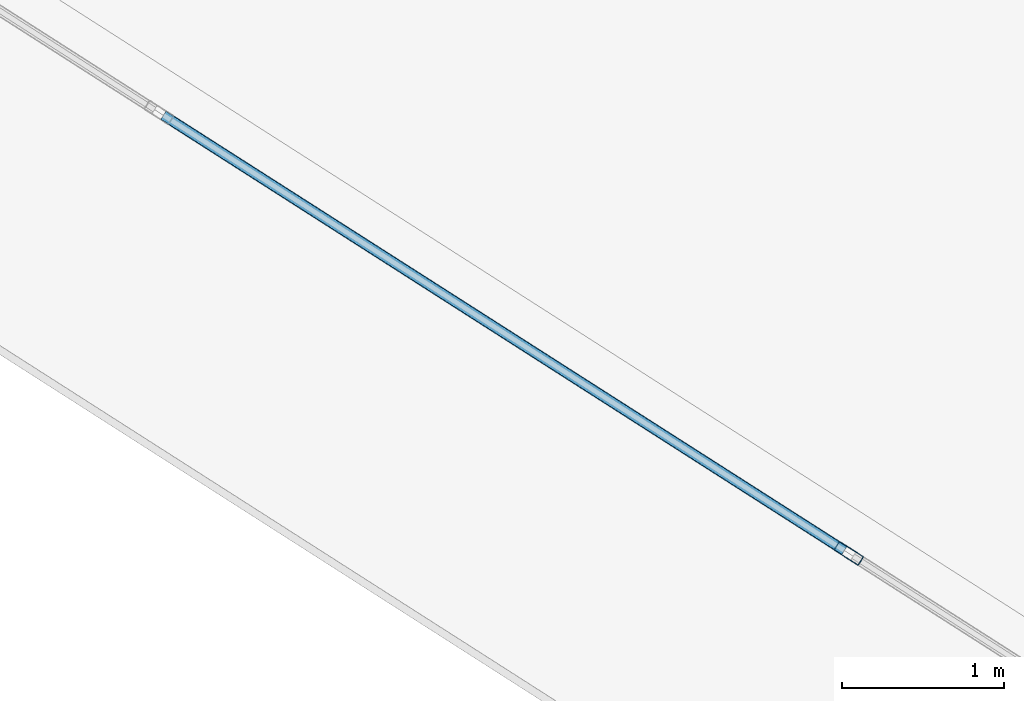
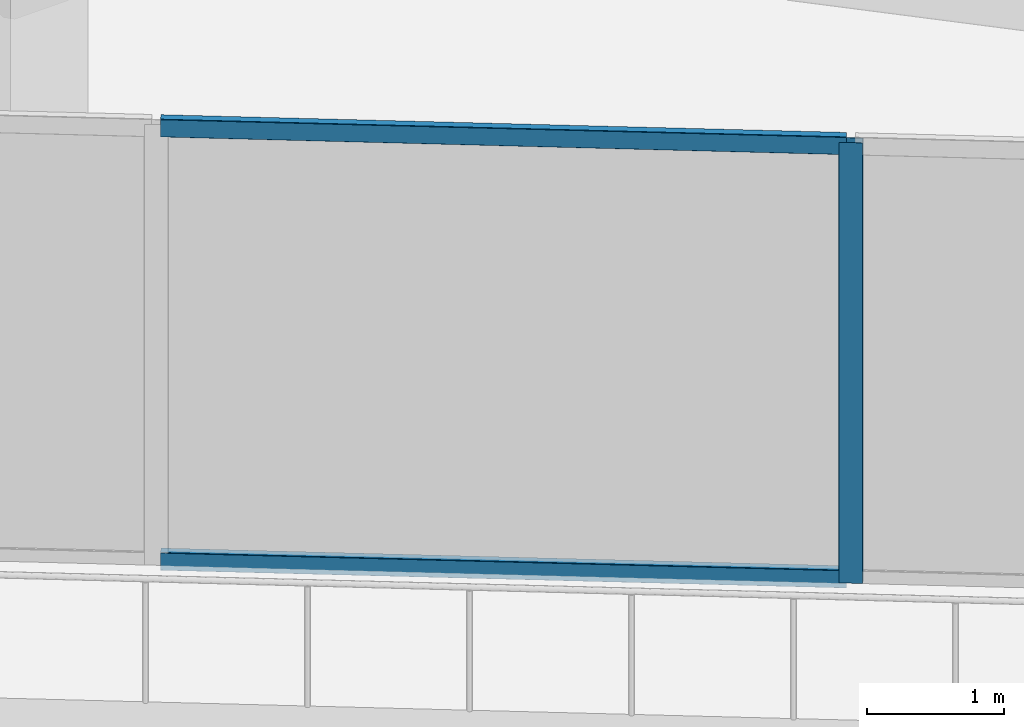
# One storey, part 8 of 43: 3 members, 1 element without a shape of its own.
"""IFC4 building model written with IfcOpenShell, lengths in metres."""

import ifcopenshell
import ifcopenshell.guid

model = None  # the IFC model being written
_history = None  # IfcOwnerHistory: only IFC2X3 demands one
_inside = {}  # id of a spatial element -> (the spatial element, [elements in it])
_under = {}  # id of a project, library or spatial element -> (it, [spatial elements below it])
_declared = {}  # id of a project -> (the project, [libraries it declares])
_typed = {}  # id of a type object -> (the type object, [elements of that type])
_made_of = {}  # id of a material, layer set ... -> (it, [elements and type objects made of it])


def new_model(schema):
    """Start an empty IFC model of exactly this schema.

    Asked for "IFC4X3", IfcOpenShell would pick the latest addendum, in which some entities
    have other attributes; the version numbers below select the first issue.
    IFC2X3 requires an IfcOwnerHistory on every rooted entity: one is made here for all.
    """
    global model, _history
    if schema == "IFC4X3":
        model = ifcopenshell.file(schema_version=(4, 3, 0, 0))
    else:
        model = ifcopenshell.file(schema=schema)
    _inside.clear()
    _under.clear()
    _declared.clear()
    _typed.clear()
    _made_of.clear()
    _history = None
    if model.schema == "IFC2X3":
        org = make("IfcOrganization", Name="unknown")
        user = make(
            "IfcPersonAndOrganization",
            ThePerson=make("IfcPerson", FamilyName="unknown"),
            TheOrganization=org,
        )
        app = make(
            "IfcApplication",
            ApplicationDeveloper=org,
            Version="unknown",
            ApplicationFullName="unknown",
            ApplicationIdentifier="unknown",
        )
        _history = make(
            "IfcOwnerHistory",
            OwningUser=user,
            OwningApplication=app,
            ChangeAction="ADDED",
            CreationDate=0,
        )
    return model


def make(cls, **values):
    """One entity of the class cls with the attributes given. An attribute that is None is left unset."""
    return model.create_entity(
        cls, **{name: value for name, value in values.items() if value is not None}
    )


def rooted(cls, **values):
    """An entity with a GlobalId (a new one), such as an element, a storey or a relation."""
    return make(cls, GlobalId=ifcopenshell.guid.new(), OwnerHistory=_history, **values)


def si_unit(unit_type, name, prefix=None):
    """IfcSIUnit, for example si_unit("LENGTHUNIT", "METRE", prefix="MILLI")."""
    return make("IfcSIUnit", UnitType=unit_type, Prefix=prefix, Name=name)


def assignment(units):
    """IfcUnitAssignment: the units of a project."""
    return None if units is None else make("IfcUnitAssignment", Units=units)


def point(xyz):
    """IfcCartesianPoint."""
    return None if xyz is None else make("IfcCartesianPoint", Coordinates=xyz)


def direction(xyz):
    """IfcDirection."""
    return None if xyz is None else make("IfcDirection", DirectionRatios=xyz)


def frame(location, z_axis=None, x_axis=None):
    """IfcAxis2Placement3D, a coordinate frame: its origin and axes. An axis left out is left unset."""
    return make(
        "IfcAxis2Placement3D",
        Location=point(location),
        Axis=direction(z_axis),
        RefDirection=direction(x_axis),
    )


def frame_2d(location, x_axis=None):
    """IfcAxis2Placement2D, a coordinate frame in the plane: its origin and x axis."""
    return make(
        "IfcAxis2Placement2D", Location=point(location), RefDirection=direction(x_axis)
    )


def origin():
    """The frame at (0, 0, 0) with its axes left unset."""
    return frame((0.0, 0.0, 0.0))


def origin_2d():
    """The frame at (0, 0) in the plane with its x axis left unset."""
    return frame_2d((0.0, 0.0))


def place(relative_to, where):
    """IfcLocalPlacement: puts the frame where relative to a parent placement (None: the world)."""
    return make(
        "IfcLocalPlacement", PlacementRelTo=relative_to, RelativePlacement=where
    )


def context(
    kind, dimensions, precision=None, world=None, true_north=None, identifier=None
):
    """IfcGeometricRepresentationContext, for example the 3D "Model" context."""
    return make(
        "IfcGeometricRepresentationContext",
        ContextIdentifier=identifier,
        ContextType=kind,
        CoordinateSpaceDimension=dimensions,
        Precision=precision,
        WorldCoordinateSystem=world,
        TrueNorth=true_north,
    )


def subcontext(parent, identifier, kind, view, scale=None):
    """IfcGeometricRepresentationSubContext, for example "Body" below "Model"."""
    return make(
        "IfcGeometricRepresentationSubContext",
        ContextIdentifier=identifier,
        ContextType=kind,
        ParentContext=parent,
        TargetScale=scale,
        TargetView=view,
    )


def project(units=None, contexts=None):
    """IfcProject with its units and contexts."""
    return rooted(
        "IfcProject",
        Name="project",
        RepresentationContexts=contexts,
        UnitsInContext=assignment(units),
    )


def spatial(cls, under=None, at=None, **own):
    """A site, building, storey or space (cls), placed at a placement, below another one or the project."""
    s = rooted(cls, ObjectPlacement=at, **own)
    if under is not None:
        _under.setdefault(under.id(), (under, []))[1].append(s)
    return s


def profile(cls, at=None, kind="AREA", **sizes):
    """A parametric profile (cls). Its sizes go by their IFC names, for example OverallWidth=200.0."""
    return make(cls, ProfileType=kind, Position=at, **sizes)


def hollow_rectangle(**sizes):
    """IfcRectangleHollowProfileDef."""
    return profile("IfcRectangleHollowProfileDef", **sizes)


def extrude(swept, where, along, depth):
    """IfcExtrudedAreaSolid: the profile swept, set in the frame where, extruded along a direction by depth."""
    return make(
        "IfcExtrudedAreaSolid",
        SweptArea=swept,
        Position=where,
        ExtrudedDirection=direction(along),
        Depth=depth,
    )


def shape(context_of_items, identifier, shape_type, items):
    """IfcShapeRepresentation: the items that make up one representation, for example the "Body"."""
    return make(
        "IfcShapeRepresentation",
        ContextOfItems=context_of_items,
        RepresentationIdentifier=identifier,
        RepresentationType=shape_type,
        Items=items,
    )


def material(Name=None, Category=None):
    """IfcMaterial."""
    return make("IfcMaterial", Name=Name, Category=Category)


def layer(
    of_material, thickness, ventilated=None, Name=None, Category=None, Priority=None
):
    """IfcMaterialLayer: one layer of a wall or slab, of a material (None: an air gap)."""
    return make(
        "IfcMaterialLayer",
        Material=of_material,
        LayerThickness=thickness,
        IsVentilated=ventilated,
        Name=Name,
        Category=Category,
        Priority=Priority,
    )


def layer_set(layers, Name=None):
    """IfcMaterialLayerSet."""
    return make("IfcMaterialLayerSet", MaterialLayers=layers, LayerSetName=Name)


def material_profile(
    of_material, cross_section, Name=None, Category=None, Priority=None
):
    """IfcMaterialProfile: a cross section and its material."""
    return make(
        "IfcMaterialProfile",
        Name=Name,
        Material=of_material,
        Profile=cross_section,
        Priority=Priority,
        Category=Category,
    )


def profile_set(profiles, Name=None, composite=None):
    """IfcMaterialProfileSet."""
    return make(
        "IfcMaterialProfileSet",
        Name=Name,
        MaterialProfiles=profiles,
        CompositeProfile=composite,
    )


def made_of(thing, what):
    """Note that an element or type object is made of a material, layer set ...; save() writes the relation."""
    if what is not None:
        _made_of.setdefault(what.id(), (what, []))[1].append(thing)
    return thing


def type_object(cls, material=None, **own):
    """A type object (cls), such as IfcWallType, which elements share."""
    return made_of(rooted(cls, **own), material)


def element(
    cls,
    number,
    at=None,
    inside=None,
    cuts=None,
    type_object=None,
    material=None,
    context=None,
    identifier="Body",
    shape_type=None,
    held_by="IfcProductDefinitionShape",
    body=None,
    shapes=None,
    **own,
):
    """One element of the class cls, such as IfcWall. Its Tag is "e" and its number.

    at: its placement. inside: the storey or other place that contains it. cuts: it is an
    opening in that element (IfcRelVoidsElement). A single representation is given by context,
    identifier, shape_type and body (its items); several are given by shapes. held_by: the class
    of the entity that holds the representations. save() writes the other relations.
    """
    e = rooted(cls, Tag="e%d" % number, ObjectPlacement=at, **own)
    if body is not None:
        shapes = [shape(context, identifier, shape_type, body)]
    if shapes is not None:
        e.Representation = make(held_by, Representations=shapes)
    if inside is not None:
        _inside.setdefault(inside.id(), (inside, []))[1].append(e)
    if cuts is not None:
        rooted(
            "IfcRelVoidsElement", RelatingBuildingElement=cuts, RelatedOpeningElement=e
        )
    if type_object is not None:
        _typed.setdefault(type_object.id(), (type_object, []))[1].append(e)
    return made_of(e, material)


def aggregate(whole, parts):
    """IfcRelAggregates: a whole, such as a stair, and the parts it consists of."""
    return rooted("IfcRelAggregates", RelatingObject=whole, RelatedObjects=parts)


def save(model, path):
    """Write the relations noted so far, then the file.

    IfcRelAggregates (storeys below a building ...), IfcRelContainedInSpatialStructure (elements
    in a storey), IfcRelDefinesByType, IfcRelAssociatesMaterial and IfcRelDeclares: one each for
    every whole, place, type object, material and project.
    """
    for whole, parts in _under.values():
        aggregate(whole, parts)
    for where, things in _inside.values():
        rooted(
            "IfcRelContainedInSpatialStructure",
            RelatedElements=things,
            RelatingStructure=where,
        )
    for kind, things in _typed.values():
        rooted("IfcRelDefinesByType", RelatedObjects=things, RelatingType=kind)
    for what, things in _made_of.values():
        rooted("IfcRelAssociatesMaterial", RelatedObjects=things, RelatingMaterial=what)
    for by, libraries in _declared.values():
        rooted("IfcRelDeclares", RelatingContext=by, RelatedDefinitions=libraries)
    model.write(path)


model = new_model("IFC4")

# Units and contexts
model_context = context("Model", 3, precision=1e-05, world=origin(), true_north=direction((0.0, 1.0)))
body_context = subcontext(model_context, "Body", "Model", "MODEL_VIEW")
ifc_project = project(units=[si_unit("LENGTHUNIT", "METRE"), si_unit("AREAUNIT", "SQUARE_METRE"), si_unit("VOLUMEUNIT", "CUBIC_METRE"), si_unit("PLANEANGLEUNIT", "RADIAN"), si_unit("MASSUNIT", "GRAM", prefix="KILO")], contexts=[model_context])

# Site, building, storey
site_placement = place(None, origin())
site = spatial("IfcSite", under=ifc_project, at=site_placement, CompositionType="ELEMENT")
building_placement = place(site_placement, origin())
building = spatial("IfcBuilding", under=site, at=building_placement, Name="Qorvath Tower", CompositionType="ELEMENT")
storey_placement = place(building_placement, frame((0.0, 0.0, 36.60009765625)))
storey = spatial("IfcBuildingStorey", under=building, at=storey_placement, Name="L07", CompositionType="ELEMENT", Elevation=36.60009765625)

# Curtain wall, members
ifc_material_1 = material(Name="Anodised aluminium and triple low-E glass", Category="aluminium")
ifc_layer = layer(ifc_material_1, 0.179931640625)
ifc_layer_set = layer_set([ifc_layer], Name="CW-SYS-2")
curtain_wall_type = type_object("IfcCurtainWallType", Name="CW-SYS-2", PredefinedType="NOTDEFINED", material=ifc_layer_set)
curtain_wall_placement = place(storey_placement, origin())
curtain_wall = element("IfcCurtainWall", 1, at=curtain_wall_placement, inside=storey, type_object=curtain_wall_type, Name="Curtain Wall CW-2 CW-T-L07-2.2", PredefinedType="NOTDEFINED")
ifc_material_2 = material(Name="Anodised aluminium 6063-T6", Category="aluminium")
ifc_material_profile_1 = material_profile(ifc_material_2, hollow_rectangle(XDim=0.06494140625, YDim=0.179931640625, WallThickness=0.00341796875, InnerFilletRadius=0.00341796875, OuterFilletRadius=0.007080078125, at=origin_2d()), Name="CWM 180x65")
ifc_profile_set_1 = profile_set([ifc_material_profile_1], Name="Anodised aluminium 6063-T6")
member_type_1 = type_object("IfcMemberType", Name="CWM-180", PredefinedType="MULLION", material=ifc_profile_set_1)
member_1_placement = place(storey_placement, frame((-27.575927734375, -25.51220703125, 0.0), z_axis=(0.0, 0.0, 1.0), x_axis=(0.538532593363, 0.842604679483, 0.0)))
member_1 = element("IfcMember", 2, at=member_1_placement, type_object=member_type_1, Name="CW-2 mullion 4", PredefinedType="MULLION", context=body_context, shape_type="SweptSolid", body=[
    extrude(hollow_rectangle(XDim=0.06494140625, YDim=0.179931640625, WallThickness=0.00341796875, InnerFilletRadius=0.00341796875, OuterFilletRadius=0.007080078125, at=origin_2d()), origin(), (0.0, 0.0, 1.0), 3.919921875),
])
ifc_material_3 = material(Name="Anodised aluminium 6063-T6", Category="aluminium")
ifc_material_profile_2 = material_profile(ifc_material_3, hollow_rectangle(XDim=0.06494140625, YDim=0.159912109375, WallThickness=0.00341796875, InnerFilletRadius=0.00341796875, OuterFilletRadius=0.007080078125, at=origin_2d()), Name="CWT 160x65")
ifc_profile_set_2 = profile_set([ifc_material_profile_2], Name="Anodised aluminium 6063-T6")
member_type_2 = type_object("IfcMemberType", Name="CWT-160", PredefinedType="USERDEFINED", material=ifc_profile_set_2)
member_2_placement = place(storey_placement, frame((-31.818115234375, -22.80078125, 0.032470703125), z_axis=(0.842602751758, -0.538535609528, 0.0), x_axis=(0.538535609528, 0.842602751758, 0.0)))
member_2 = element("IfcMember", 3, at=member_2_placement, type_object=member_type_2, Name="CW-2 transom 3.1", ObjectType="TRANSOM", PredefinedType="USERDEFINED", context=body_context, shape_type="SweptSolid", body=[
    extrude(hollow_rectangle(XDim=0.06494140625, YDim=0.159912109375, WallThickness=0.00341796875, InnerFilletRadius=0.00341796875, OuterFilletRadius=0.007080078125, at=origin_2d()), origin(), (0.0, 0.0, 1.0), 5.002197265625),
])
member_3_placement = place(storey_placement, frame((-31.818115234375, -22.80078125, 3.887451171875), z_axis=(0.842602751758, -0.538535609528, 0.0), x_axis=(0.538535609528, 0.842602751758, 0.0)))
member_3 = element("IfcMember", 4, at=member_3_placement, type_object=member_type_2, Name="CW-2 transom 3.2", ObjectType="TRANSOM", PredefinedType="USERDEFINED", context=body_context, shape_type="SweptSolid", body=[
    extrude(hollow_rectangle(XDim=0.06494140625, YDim=0.159912109375, WallThickness=0.00341796875, InnerFilletRadius=0.00341796875, OuterFilletRadius=0.007080078125, at=origin_2d()), origin(), (0.0, 0.0, 1.0), 5.002197265625),
])
aggregate(curtain_wall, [member_1, member_2, member_3])

save(model, "model.ifc")
